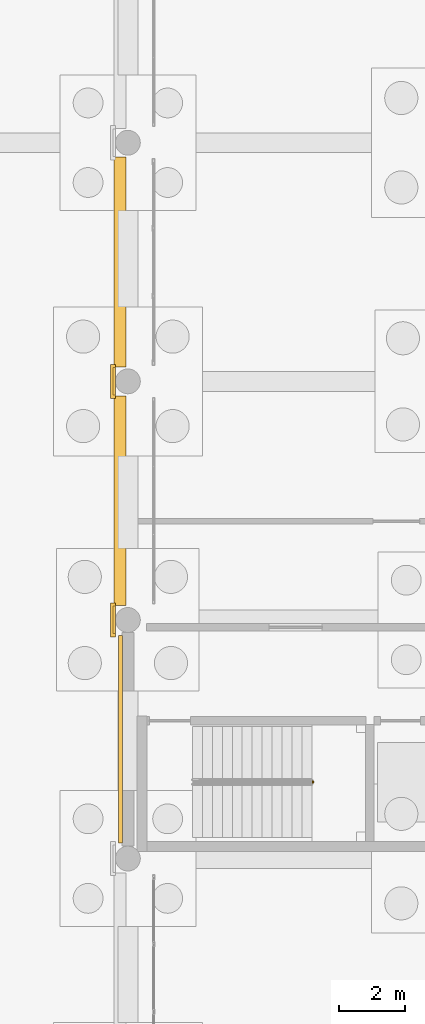
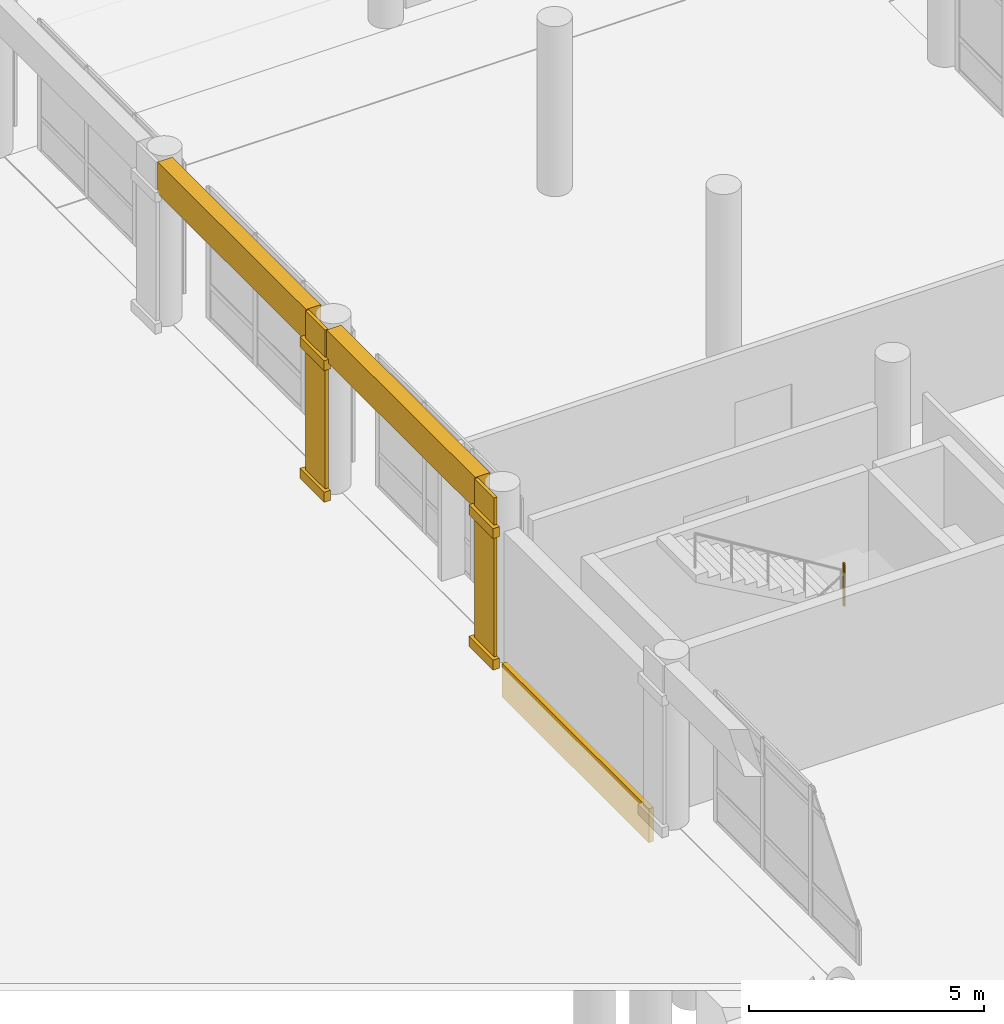
# One storey, part 177 of 196: 9 coverings, 1 railing.
"""IFC4 building model written with IfcOpenShell, lengths in metres."""

from ifc_helpers import new_model, si_unit, direction, frame, origin, origin_2d, place, context, subcontext, project, spatial, rectangle, circle, extrude, material, layer, layer_set, type_object, element, save


model = new_model("IFC4")

# Units and contexts
model_context = context("Model", 3, precision=1e-05, world=origin(), true_north=direction((0.0, 1.0)))
body_context = subcontext(model_context, "Body", "Model", "MODEL_VIEW")
ifc_project = project(units=[si_unit("LENGTHUNIT", "METRE"), si_unit("AREAUNIT", "SQUARE_METRE"), si_unit("VOLUMEUNIT", "CUBIC_METRE"), si_unit("PLANEANGLEUNIT", "RADIAN"), si_unit("MASSUNIT", "GRAM", prefix="KILO")], contexts=[model_context])

# Site, building, storey
site_placement = place(None, origin())
site = spatial("IfcSite", under=ifc_project, at=site_placement, CompositionType="ELEMENT")
building_placement = place(site_placement, origin())
building = spatial("IfcBuilding", under=site, at=building_placement, Name="Asteropetra Specialist Clinic", CompositionType="ELEMENT")
storey_placement = place(building_placement, origin())
storey = spatial("IfcBuildingStorey", under=building, at=storey_placement, Name="L00", CompositionType="ELEMENT", Elevation=0.0)

# Coverings
ifc_material_1 = material(Name="Pentelic marble ashlar", Category="masonry")
ifc_layer = layer(ifc_material_1, 0.159912109375)
ifc_layer_set = layer_set([ifc_layer], Name="Pentelic marble ashlar")
covering_type = type_object("IfcCoveringType", Name="CRN-ENTAB-600", PredefinedType="MOLDING", material=ifc_layer_set)
for number, where, z_axis, x_axis, name in (
    (1, (105.360107421875, 22.800048828125, 3.58984375), (0.0, 0.0, 1.0), (1.0, 0.0, 0.0), "Stoa Classical Entablature SE-0079"),
    (2, (105.360107421875, 30.0, 3.58984375), (0.0, 0.0, 1.0), (1.0, 0.0, 0.0), "Stoa Classical Entablature SE-0081"),
):
    element("IfcCovering", number, at=place(storey_placement, frame(where, z_axis=z_axis, x_axis=x_axis)), inside=storey, type_object=covering_type, Name=name, PredefinedType="MOLDING", context=body_context, shape_type="SweptSolid", body=[
        extrude(rectangle(XDim=0.360107421875, YDim=6.330078125, at=origin_2d()), origin(), (0.0, 0.0, 1.0), 0.820068359375),
    ])
covering_1_placement = place(storey_placement, frame((105.193115234375, 19.199951171875, 0.02001953125), z_axis=(0.0, 0.0, 1.0), x_axis=(1.0, 0.0, 0.0)))
element("IfcCovering", 3, at=covering_1_placement, inside=storey, type_object=covering_type, Name="Neoclassical Pilaster Facing CM-0929", PredefinedType="MOLDING", context=body_context, shape_type="SweptSolid", body=[
    extrude(rectangle(XDim=0.080078125, YDim=0.830078125, at=origin_2d()), origin(), (0.0, 0.0, 1.0), 4.3798828125),
])
for number, where, z_axis, x_axis, name in (
    (4, (105.153076171875, 19.199951171875, 0.009765625), (0.0, 0.0, 1.0), (1.0, 0.0, 0.0), "Doric Base CC-0930"),
    (5, (105.153076171875, 19.199951171875, 3.43017578125), (0.0, 0.0, 1.0), (1.0, 0.0, 0.0), "Doric Capital CC-0931"),
):
    element("IfcCovering", number, at=place(storey_placement, frame(where, z_axis=z_axis, x_axis=x_axis)), inside=storey, type_object=covering_type, Name=name, PredefinedType="MOLDING", context=body_context, shape_type="SweptSolid", body=[
        extrude(rectangle(XDim=0.159912109375, YDim=1.030029296875, at=origin_2d()), origin(), (0.0, 0.0, 1.0), 0.260009765625),
    ])
covering_2_placement = place(storey_placement, frame((105.193115234375, 26.39990234375, 0.02001953125), z_axis=(0.0, 0.0, 1.0), x_axis=(1.0, 0.0, 0.0)))
element("IfcCovering", 6, at=covering_2_placement, inside=storey, type_object=covering_type, Name="Neoclassical Pilaster Facing CM-0932", PredefinedType="MOLDING", context=body_context, shape_type="SweptSolid", body=[
    extrude(rectangle(XDim=0.080078125, YDim=0.830078125, at=origin_2d()), origin(), (0.0, 0.0, 1.0), 4.3798828125),
])
for number, where, z_axis, x_axis, name in (
    (7, (105.153076171875, 26.39990234375, 0.009765625), (0.0, 0.0, 1.0), (1.0, 0.0, 0.0), "Doric Base CC-0933"),
    (8, (105.153076171875, 26.39990234375, 3.43017578125), (0.0, 0.0, 1.0), (1.0, 0.0, 0.0), "Doric Capital CC-0934"),
):
    element("IfcCovering", number, at=place(storey_placement, frame(where, z_axis=z_axis, x_axis=x_axis)), inside=storey, type_object=covering_type, Name=name, PredefinedType="MOLDING", context=body_context, shape_type="SweptSolid", body=[
        extrude(rectangle(XDim=0.159912109375, YDim=1.030029296875, at=origin_2d()), origin(), (0.0, 0.0, 1.0), 0.260009765625),
    ])
covering_3_placement = place(storey_placement, frame((105.3798828125, 15.60009765625, -0.800048828125), z_axis=(0.0, 0.0, 1.0), x_axis=(1.0, 0.0, 0.0)))
element("IfcCovering", 9, at=covering_3_placement, inside=storey, type_object=covering_type, Name="Chevron Spandrel Band CV-2005", PredefinedType="MOLDING", context=body_context, shape_type="SweptSolid", body=[
    extrude(rectangle(XDim=0.1201171875, YDim=6.25, at=origin_2d()), origin(), (0.0, 0.0, 1.0), 0.8798828125),
])

# Railing
ifc_material_2 = material(Name="Steel S355 and laminated glass guard", Category="steel")
railing_type = type_object("IfcRailingType", Name="GRD-INT-1120", PredefinedType="GUARDRAIL", material=ifc_material_2)
railing_placement = place(storey_placement, frame((111.179931640625, 14.2900390625, 2.2099609375)))
element("IfcRailing", 10, at=railing_placement, inside=storey, type_object=railing_type, Name="Landing Slot Guard ST08-L00", PredefinedType="GUARDRAIL", context=body_context, shape_type="SweptSolid", body=[
    extrude(circle(Radius=0.02392578125, at=origin_2d()), frame((0.0, 0.0, 1.09619140625), z_axis=(0.0, 1.0, 0.0), x_axis=(-1.0, 0.0, 0.0)), (0.0, 0.0, 1.0), 0.0400390625),
    extrude(circle(Radius=0.02099609375, at=origin_2d()), origin(), (0.0, 0.0, 1.0), 1.072021484375),
    extrude(circle(Radius=0.02099609375, at=origin_2d()), frame((0.0, 0.0400390625, 0.0)), (0.0, 0.0, 1.0), 1.072021484375),
])

save(model, "model.ifc")
